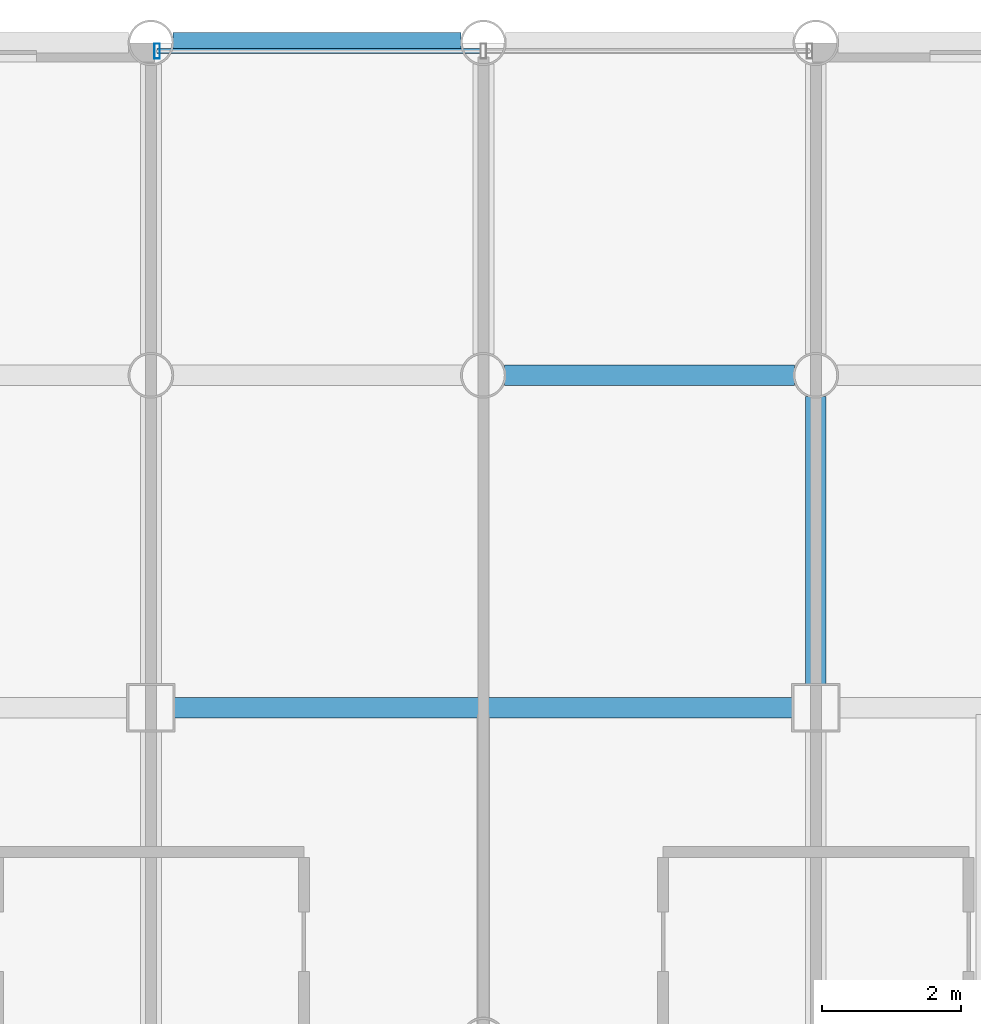
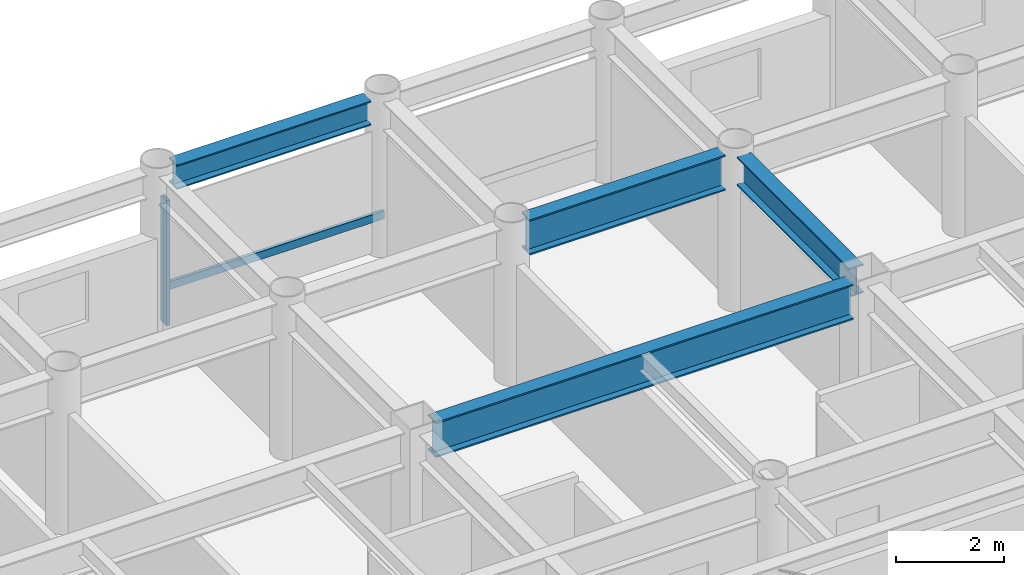
# One storey, part 12 of 20: 4 beams, 2 members, 1 element without a shape of its own.
"""IFC4 building model written with IfcOpenShell, lengths in metres."""

from ifc_helpers import new_model, si_unit, direction, frame, origin, origin_2d, place, context, subcontext, project, spatial, hollow_rectangle, i_section, extrude, material, layer, layer_set, material_profile, profile_set, type_object, element, aggregate, save


model = new_model("IFC4")

# Units and contexts
model_context = context("Model", 3, precision=1e-05, world=origin(), true_north=direction((0.0, 1.0)))
body_context = subcontext(model_context, "Body", "Model", "MODEL_VIEW")
ifc_project = project(units=[si_unit("LENGTHUNIT", "METRE"), si_unit("AREAUNIT", "SQUARE_METRE"), si_unit("VOLUMEUNIT", "CUBIC_METRE"), si_unit("PLANEANGLEUNIT", "RADIAN"), si_unit("MASSUNIT", "GRAM", prefix="KILO")], contexts=[model_context])

# Site, building, storey
site_placement = place(None, origin())
site = spatial("IfcSite", under=ifc_project, at=site_placement, CompositionType="ELEMENT")
building_placement = place(site_placement, origin())
building = spatial("IfcBuilding", under=site, at=building_placement, Name="Kallvorn Hotel Tower", CompositionType="ELEMENT")
storey_placement = place(building_placement, frame((0.0, 0.0, 132.199951171875)))
storey = spatial("IfcBuildingStorey", under=building, at=storey_placement, Name="L32", CompositionType="ELEMENT", Elevation=132.199951171875)

# Beams
ifc_material_1 = material(Name="Structural steel S355JR", Category="steel")
ifc_material_profile_1 = material_profile(ifc_material_1, i_section(OverallWidth=0.300048828125, OverallDepth=0.550048828125, WebThickness=0.014892578125, FlangeThickness=0.029052734375, at=origin_2d()), Name="HE 550 B")
ifc_profile_set_1 = profile_set([ifc_material_profile_1], Name="Structural steel S355JR")
beam_type_1 = type_object("IfcBeamType", Name="BM_HE550B", PredefinedType="SPANDREL", material=ifc_profile_set_1)
beam_1_placement = place(storey_placement, frame((-4.47998046875, 24.0, 3.2451171875), z_axis=(1.0, 0.0, 0.0), x_axis=(0.0, 1.0, 0.0)))
element("IfcBeam", 1, at=beam_1_placement, inside=storey, type_object=beam_type_1, Name="L33 Perimeter Spandrel 168", PredefinedType="SPANDREL", context=body_context, shape_type="SweptSolid", body=[
    extrude(i_section(OverallWidth=0.300048828125, OverallDepth=0.550048828125, WebThickness=0.014892578125, FlangeThickness=0.029052734375, at=origin_2d()), origin(), (0.0, 0.0, 1.0), 4.159912109375),
])
ifc_material_2 = material(Name="Structural steel S355JR", Category="steel")
ifc_material_profile_2 = material_profile(ifc_material_2, i_section(OverallWidth=0.300048828125, OverallDepth=0.64990234375, WebThickness=0.01611328125, FlangeThickness=0.031005859375, at=origin_2d()), Name="HE 650 B")
ifc_profile_set_2 = profile_set([ifc_material_profile_2], Name="Structural steel S355JR")
beam_type_2 = type_object("IfcBeamType", Name="BM_HE650B", PredefinedType="BEAM", material=ifc_profile_set_2)
beam_2_placement = place(storey_placement, frame((4.800048828125, 14.72509765625, 3.195068359375), z_axis=(0.0, 1.0, 0.0), x_axis=(-1.0, 0.0, 0.0)))
element("IfcBeam", 2, at=beam_2_placement, inside=storey, type_object=beam_type_2, Name="L33 Primary Y-Girder 117", PredefinedType="BEAM", context=body_context, shape_type="SweptSolid", body=[
    extrude(i_section(OverallWidth=0.300048828125, OverallDepth=0.64990234375, WebThickness=0.01611328125, FlangeThickness=0.031005859375, at=origin_2d()), origin(), (0.0, 0.0, 1.0), 4.169921875),
])
ifc_material_3 = material(Name="Structural steel S355JR", Category="steel")
ifc_material_profile_3 = material_profile(ifc_material_3, i_section(OverallWidth=0.300048828125, OverallDepth=0.800048828125, WebThickness=0.017578125, FlangeThickness=0.032958984375, at=origin_2d()), Name="HE 800 B")
ifc_profile_set_3 = profile_set([ifc_material_profile_3], Name="Structural steel S355JR")
beam_type_3 = type_object("IfcBeamType", Name="BM_HE800B", PredefinedType="BEAM", material=ifc_profile_set_3)
beam_3_placement = place(storey_placement, frame((-4.47509765625, 14.39990234375, 3.1201171875), z_axis=(1.0, 0.0, 0.0), x_axis=(0.0, 1.0, 0.0)))
element("IfcBeam", 3, at=beam_3_placement, inside=storey, type_object=beam_type_3, Name="L33 Primary X-Girder 55", PredefinedType="BEAM", context=body_context, shape_type="SweptSolid", body=[
    extrude(i_section(OverallWidth=0.300048828125, OverallDepth=0.800048828125, WebThickness=0.017578125, FlangeThickness=0.032958984375, at=origin_2d()), origin(), (0.0, 0.0, 1.0), 8.9501953125),
])
beam_4_placement = place(storey_placement, frame((0.304931640625, 19.199951171875, 3.1201171875), z_axis=(1.0, 0.0, 0.0), x_axis=(0.0, 1.0, 0.0)))
element("IfcBeam", 4, at=beam_4_placement, inside=storey, type_object=beam_type_3, Name="L33 Primary X-Girder 67", PredefinedType="BEAM", context=body_context, shape_type="SweptSolid", body=[
    extrude(i_section(OverallWidth=0.300048828125, OverallDepth=0.800048828125, WebThickness=0.017578125, FlangeThickness=0.032958984375, at=origin_2d()), origin(), (0.0, 0.0, 1.0), 4.190185546875),
])

# Curtain wall, members
ifc_material_4 = material(Name="Thermally broken black-anodised aluminium AA 6063-T6", Category="aluminium")
ifc_layer = layer(ifc_material_4, 0.2099609375)
ifc_layer_set = layer_set([ifc_layer], Name="CW_SYS_4_HOTEL_MID")
curtain_wall_type = type_object("IfcCurtainWallType", Name="CW_SYS_4_HOTEL_MID", PredefinedType="USERDEFINED", material=ifc_layer_set)
curtain_wall_placement = place(storey_placement, origin())
curtain_wall = element("IfcCurtainWall", 5, at=curtain_wall_placement, inside=storey, type_object=curtain_wall_type, Name="L32 Dark-Glass Curtain Wall CW-L32-NC", ObjectType="UNITISED CURTAIN WALL", PredefinedType="USERDEFINED")
ifc_material_5 = material(Name="Thermally broken black-anodised aluminium AA 6063-T6", Category="aluminium")
ifc_material_profile_4 = material_profile(ifc_material_5, hollow_rectangle(XDim=0.080078125, YDim=0.219970703125, WallThickness=0.0048828125, at=origin_2d()), Name="MUL 220x80")
ifc_profile_set_4 = profile_set([ifc_material_profile_4], Name="Thermally broken black-anodised aluminium AA 6063-T6")
member_type_1 = type_object("IfcMemberType", Name="CW_MULLION_220x80", PredefinedType="MULLION", material=ifc_profile_set_4)
member_1_placement = place(storey_placement, frame((-4.7099609375, 23.8798828125, 0.02001953125), z_axis=(0.0, 0.0, 1.0), x_axis=(1.0, 0.0, 0.0)))
member_1 = element("IfcMember", 6, at=member_1_placement, type_object=member_type_1, Name="CW-L32-NC Mullion 00", PredefinedType="MULLION", context=body_context, shape_type="SweptSolid", body=[
    extrude(hollow_rectangle(XDim=0.080078125, YDim=0.219970703125, WallThickness=0.0048828125, at=origin_2d()), origin(), (0.0, 0.0, 1.0), 2.830078125),
])
ifc_material_6 = material(Name="Thermally broken black-anodised aluminium AA 6063-T6", Category="aluminium")
ifc_material_profile_5 = material_profile(ifc_material_6, hollow_rectangle(XDim=0.070068359375, YDim=0.179931640625, WallThickness=0.00390625, at=origin_2d()), Name="TRN 180x70")
ifc_profile_set_5 = profile_set([ifc_material_profile_5], Name="Thermally broken black-anodised aluminium AA 6063-T6")
member_type_2 = type_object("IfcMemberType", Name="CW_TRANSOM_180x70", PredefinedType="USERDEFINED", material=ifc_profile_set_5)
member_2_placement = place(storey_placement, frame((-4.7099609375, 23.8798828125, 0.85009765625), z_axis=(1.0, 0.0, 0.0), x_axis=(0.0, 1.0, 0.0)))
member_2 = element("IfcMember", 7, at=member_2_placement, type_object=member_type_2, Name="CW-L32-NC Transom 00M", ObjectType="TRANSOM", PredefinedType="USERDEFINED", context=body_context, shape_type="SweptSolid", body=[
    extrude(hollow_rectangle(XDim=0.070068359375, YDim=0.179931640625, WallThickness=0.00390625, at=origin_2d()), origin(), (0.0, 0.0, 1.0), 4.669921875),
])
aggregate(curtain_wall, [member_1, member_2])

save(model, "model.ifc")
